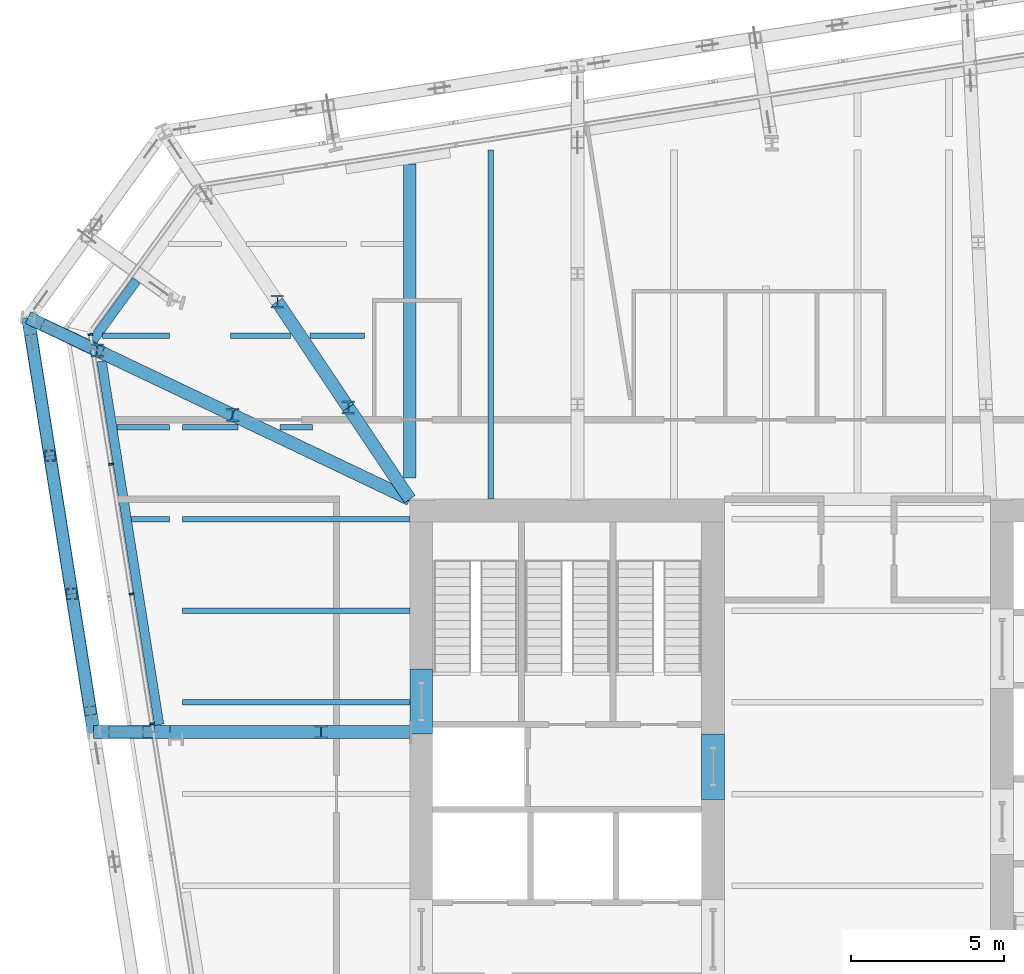
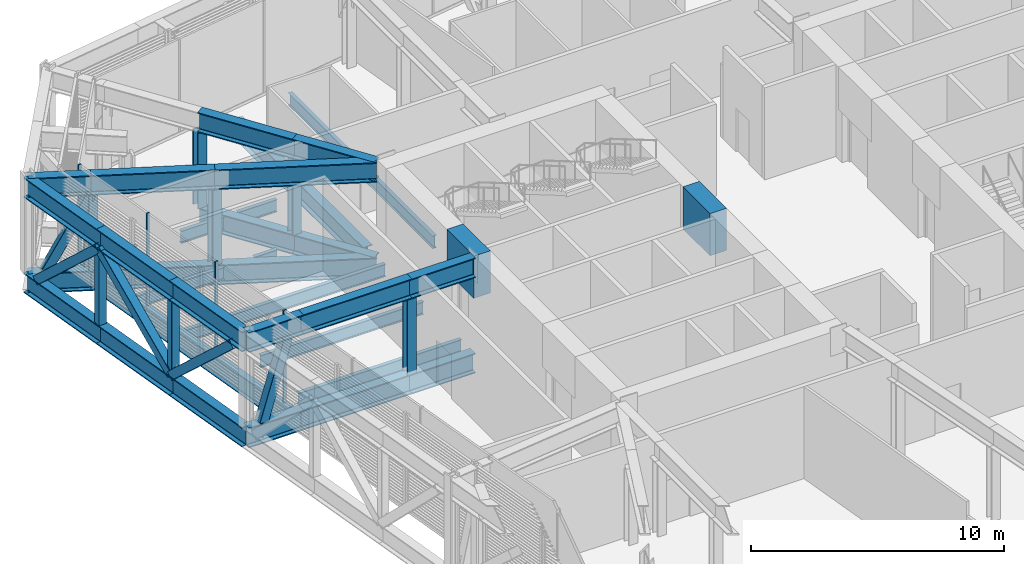
# One storey, part 10 of 32: 38 beams, 16 members, 1 element without a shape of its own.
"""IFC4 building model written with IfcOpenShell, lengths in metres."""

from ifc_helpers import new_model, si_unit, direction, frame, origin, origin_2d, place, context, subcontext, project, spatial, rectangle, hollow_rectangle, i_section, extrude, material, layer, layer_set, material_profile, profile_set, type_object, element, aggregate, save


model = new_model("IFC4")

# Units and contexts
model_context = context("Model", 3, precision=1e-05, world=origin(), true_north=direction((0.0, 1.0)))
body_context = subcontext(model_context, "Body", "Model", "MODEL_VIEW")
ifc_project = project(units=[si_unit("LENGTHUNIT", "METRE"), si_unit("AREAUNIT", "SQUARE_METRE"), si_unit("VOLUMEUNIT", "CUBIC_METRE"), si_unit("PLANEANGLEUNIT", "RADIAN"), si_unit("MASSUNIT", "GRAM", prefix="KILO")], contexts=[model_context])

# Site, building, storey
site_placement = place(None, origin())
site = spatial("IfcSite", under=ifc_project, at=site_placement, CompositionType="ELEMENT")
building_placement = place(site_placement, origin())
building = spatial("IfcBuilding", under=site, at=building_placement, Name="Millrace Tower", CompositionType="ELEMENT")
storey_placement = place(building_placement, frame((0.0, 0.0, 124.89990234375)))
storey = spatial("IfcBuildingStorey", under=building, at=storey_placement, Name="L27", CompositionType="ELEMENT", Elevation=124.89990234375)

# Curtain wall, members
ifc_material_1 = material(Name="Aluminium and glass", Category="aluminium")
ifc_layer = layer(ifc_material_1, 0.14990234375)
ifc_layer_set = layer_set([ifc_layer], Name="Aluminium and glass")
curtain_wall_type = type_object("IfcCurtainWallType", Name="CW-5 truss and plant storey louvred infill", PredefinedType="NOTDEFINED", material=ifc_layer_set)
curtain_wall_placement = place(storey_placement, origin())
curtain_wall = element("IfcCurtainWall", 1, at=curtain_wall_placement, inside=storey, type_object=curtain_wall_type, Name="Curtain wall C-F08 L27", PredefinedType="NOTDEFINED")
ifc_material_2 = material(Name="Aluminium", Category="aluminium")
ifc_material_profile_1 = material_profile(ifc_material_2, rectangle(XDim=0.06494140625, YDim=0.14990234375, at=origin_2d()))
ifc_profile_set_1 = profile_set([ifc_material_profile_1], Name="Aluminium")
member_type_1 = type_object("IfcMemberType", Name="CW-5 truss and plant storey louvred infill mullion", PredefinedType="MULLION", material=ifc_profile_set_1)
member_1_placement = place(storey_placement, frame((-25.106689453125, 15.041748046875, 0.14013671875), z_axis=(0.0, 0.0, 1.0), x_axis=(0.15643447328, -0.98768833929, 0.0)))
member_1 = element("IfcMember", 2, at=member_1_placement, type_object=member_type_1, Name="CW5 mullion C-F08.1", PredefinedType="MULLION", context=body_context, shape_type="SweptSolid", body=[
    extrude(rectangle(XDim=0.06494140625, YDim=0.14990234375, at=origin_2d()), origin(), (0.0, 0.0, 1.0), 4.4599609375),
])
member_2_placement = place(storey_placement, frame((-24.43408203125, 10.794677734375, 0.14013671875), z_axis=(0.0, 0.0, 1.0), x_axis=(0.15643447328, -0.98768833929, 0.0)))
member_2 = element("IfcMember", 3, at=member_2_placement, type_object=member_type_1, Name="CW5 mullion C-F08.2", PredefinedType="MULLION", context=body_context, shape_type="SweptSolid", body=[
    extrude(rectangle(XDim=0.06494140625, YDim=0.14990234375, at=origin_2d()), origin(), (0.0, 0.0, 1.0), 4.4599609375),
])
member_3_placement = place(storey_placement, frame((-23.76123046875, 6.547607421875, 0.14013671875), z_axis=(0.0, 0.0, 1.0), x_axis=(0.15643447328, -0.98768833929, 0.0)))
member_3 = element("IfcMember", 4, at=member_3_placement, type_object=member_type_1, Name="CW5 mullion C-F08.3", PredefinedType="MULLION", context=body_context, shape_type="SweptSolid", body=[
    extrude(rectangle(XDim=0.06494140625, YDim=0.14990234375, at=origin_2d()), origin(), (0.0, 0.0, 1.0), 4.4599609375),
])
member_4_placement = place(storey_placement, frame((-23.088623046875, 2.300537109375, 0.14013671875), z_axis=(0.0, 0.0, 1.0), x_axis=(0.15643447328, -0.98768833929, 0.0)))
member_4 = element("IfcMember", 5, at=member_4_placement, type_object=member_type_1, Name="CW5 mullion C-F08.4", PredefinedType="MULLION", context=body_context, shape_type="SweptSolid", body=[
    extrude(rectangle(XDim=0.06494140625, YDim=0.14990234375, at=origin_2d()), origin(), (0.0, 0.0, 1.0), 4.4599609375),
])
aggregate(curtain_wall, [member_1, member_2, member_3, member_4])

# Beams
ifc_material_3 = material(Name="Concrete C70", Category="concrete")
ifc_material_profile_2 = material_profile(ifc_material_3, rectangle(XDim=0.75, YDim=2.0400390625, at=origin_2d()))
ifc_profile_set_2 = profile_set([ifc_material_profile_2], Name="Concrete C70")
beam_type_1 = type_object("IfcBeamType", Name="Coupling beam 750 x 2040 Concrete C70, 1300 opening", PredefinedType="BEAM", material=ifc_profile_set_2)
beam_1_placement = place(storey_placement, frame((-14.27490234375, 1.958984375, 3.420166015625), z_axis=(0.0, 1.0, 0.0), x_axis=(-1.0, 0.0, 0.0)))
element("IfcBeam", 6, at=beam_1_placement, inside=storey, type_object=beam_type_1, Name="Coupling beam W L27", PredefinedType="BEAM", context=body_context, shape_type="SweptSolid", body=[
    extrude(rectangle(XDim=0.75, YDim=2.0400390625, at=origin_2d()), origin(), (0.0, 0.0, 1.0), 2.14208984375),
])
beam_2_placement = place(storey_placement, frame((-4.72509765625, -0.1708984375, 3.420166015625), z_axis=(0.0, 1.0, 0.0), x_axis=(-1.0, 0.0, 0.0)))
element("IfcBeam", 7, at=beam_2_placement, inside=storey, type_object=beam_type_1, Name="Coupling beam W L27", PredefinedType="BEAM", context=body_context, shape_type="SweptSolid", body=[
    extrude(rectangle(XDim=0.75, YDim=2.0400390625, at=origin_2d()), origin(), (0.0, 0.0, 1.0), 2.141845703125),
])
ifc_material_4 = material(Name="Steel ASTM A992 Grade 50", Category="steel")
ifc_material_profile_3 = material_profile(ifc_material_4, i_section(OverallWidth=0.177978515625, OverallDepth=0.599365234375, WebThickness=0.010009765625, FlangeThickness=0.012939453125, FilletRadius=0.012939453125, at=origin_2d()))
ifc_profile_set_3 = profile_set([ifc_material_profile_3], Name="Steel ASTM A992 Grade 50")
beam_type_2 = type_object("IfcBeamType", Name="Floor beam W24x55", PredefinedType="JOIST", material=ifc_profile_set_3)
beam_3_placement = place(storey_placement, frame((-23.7626953125, 9.0, -0.459716796875), z_axis=(1.0, 0.0, 0.0), x_axis=(0.0, 1.0, 0.0)))
element("IfcBeam", 8, at=beam_3_placement, inside=storey, type_object=beam_type_2, Name="BM-C-L27-S1-S029-a", PredefinedType="JOIST", context=body_context, shape_type="SweptSolid", body=[
    extrude(i_section(OverallWidth=0.177978515625, OverallDepth=0.599365234375, WebThickness=0.010009765625, FlangeThickness=0.012939453125, FilletRadius=0.012939453125, at=origin_2d()), origin(), (0.0, 0.0, 1.0), 1.245849609375),
])
for number, where, z_axis, x_axis, name in (
    (9, (-22.0830078125, 9.0, -0.459716796875), (1.0, 0.0, 0.0), (0.0, 1.0, 0.0), "BM-C-L27-S1-S029-b"),
    (10, (-22.0830078125, 3.0, -0.459716796875), (1.0, 0.0, 0.0), (0.0, 1.0, 0.0), "BM-C-L27-S1-S023"),
    (11, (-22.0830078125, 6.0, -0.459716796875), (1.0, 0.0, 0.0), (0.0, 1.0, 0.0), "BM-C-L27-S1-S026"),
):
    element("IfcBeam", number, at=place(storey_placement, frame(where, z_axis=z_axis, x_axis=x_axis)), inside=storey, type_object=beam_type_2, Name=name, PredefinedType="JOIST", context=body_context, shape_type="SweptSolid", body=[
        extrude(i_section(OverallWidth=0.177978515625, OverallDepth=0.599365234375, WebThickness=0.010009765625, FlangeThickness=0.012939453125, FilletRadius=0.012939453125, at=origin_2d()), origin(), (0.0, 0.0, 1.0), 7.43310546875),
    ])
beam_4_placement = place(storey_placement, frame((-24.712890625, 15.0, -0.459716796875), z_axis=(1.0, 0.0, 0.0), x_axis=(0.0, 1.0, 0.0)))
element("IfcBeam", 12, at=beam_4_placement, inside=storey, type_object=beam_type_2, Name="BM-C-L27-S1-S033-a", PredefinedType="JOIST", context=body_context, shape_type="SweptSolid", body=[
    extrude(i_section(OverallWidth=0.177978515625, OverallDepth=0.599365234375, WebThickness=0.010009765625, FlangeThickness=0.012939453125, FilletRadius=0.012939453125, at=origin_2d()), origin(), (0.0, 0.0, 1.0), 2.196044921875),
])
beam_5_placement = place(storey_placement, frame((-24.23779296875, 12.0, -0.459716796875), z_axis=(1.0, 0.0, 0.0), x_axis=(0.0, 1.0, 0.0)))
element("IfcBeam", 13, at=beam_5_placement, inside=storey, type_object=beam_type_2, Name="BM-C-L27-S1-S031-a-a", PredefinedType="JOIST", context=body_context, shape_type="SweptSolid", body=[
    extrude(i_section(OverallWidth=0.177978515625, OverallDepth=0.599365234375, WebThickness=0.010009765625, FlangeThickness=0.012939453125, FilletRadius=0.012939453125, at=origin_2d()), origin(), (0.0, 0.0, 1.0), 1.720947265625),
])
beam_6_placement = place(storey_placement, frame((-20.513671875, 15.0, -0.459716796875), z_axis=(1.0, 0.0, 0.0), x_axis=(0.0, 1.0, 0.0)))
element("IfcBeam", 14, at=beam_6_placement, inside=storey, type_object=beam_type_2, Name="BM-C-L27-S1-S033-b-a", PredefinedType="JOIST", context=body_context, shape_type="SweptSolid", body=[
    extrude(i_section(OverallWidth=0.177978515625, OverallDepth=0.599365234375, WebThickness=0.010009765625, FlangeThickness=0.012939453125, FilletRadius=0.012939453125, at=origin_2d()), origin(), (0.0, 0.0, 1.0), 1.9580078125),
])
beam_7_placement = place(storey_placement, frame((-17.921630859375, 15.0, -0.459716796875), z_axis=(1.0, 0.0, 0.0), x_axis=(0.0, 1.0, 0.0)))
element("IfcBeam", 15, at=beam_7_placement, inside=storey, type_object=beam_type_2, Name="BM-C-L27-S1-S033-b-b", PredefinedType="JOIST", context=body_context, shape_type="SweptSolid", body=[
    extrude(i_section(OverallWidth=0.177978515625, OverallDepth=0.599365234375, WebThickness=0.010009765625, FlangeThickness=0.012939453125, FilletRadius=0.012939453125, at=origin_2d()), origin(), (0.0, 0.0, 1.0), 1.785888671875),
])
beam_8_placement = place(storey_placement, frame((-22.0830078125, 12.0, -0.459716796875), z_axis=(1.0, 0.0, 0.0), x_axis=(0.0, 1.0, 0.0)))
element("IfcBeam", 16, at=beam_8_placement, inside=storey, type_object=beam_type_2, Name="BM-C-L27-S1-S031-a-b-a", PredefinedType="JOIST", context=body_context, shape_type="SweptSolid", body=[
    extrude(i_section(OverallWidth=0.177978515625, OverallDepth=0.599365234375, WebThickness=0.010009765625, FlangeThickness=0.012939453125, FilletRadius=0.012939453125, at=origin_2d()), origin(), (0.0, 0.0, 1.0), 1.80517578125),
])
beam_9_placement = place(storey_placement, frame((-18.905517578125, 12.0, -0.459716796875), z_axis=(1.0, 0.0, 0.0), x_axis=(0.0, 1.0, 0.0)))
element("IfcBeam", 17, at=beam_9_placement, inside=storey, type_object=beam_type_2, Name="BM-C-L27-S1-S031-a-b-b", PredefinedType="JOIST", context=body_context, shape_type="SweptSolid", body=[
    extrude(i_section(OverallWidth=0.177978515625, OverallDepth=0.599365234375, WebThickness=0.010009765625, FlangeThickness=0.012939453125, FilletRadius=0.012939453125, at=origin_2d()), origin(), (0.0, 0.0, 1.0), 1.06494140625),
])
ifc_material_5 = material(Name="Steel ASTM A992 Grade 50", Category="steel")
ifc_material_profile_4 = material_profile(ifc_material_5, i_section(OverallWidth=0.1787109375, OverallDepth=0.60205078125, WebThickness=0.010986328125, FlangeThickness=0.014892578125, FilletRadius=0.0126953125, at=origin_2d()))
ifc_profile_set_4 = profile_set([ifc_material_profile_4], Name="Steel ASTM A992 Grade 50")
beam_type_3 = type_object("IfcBeamType", Name="Floor beam W24x62", PredefinedType="JOIST", material=ifc_profile_set_4)
beam_10_placement = place(storey_placement, frame((-12.0, 9.64990234375, -0.4609375), z_axis=(0.0, 1.0, 0.0), x_axis=(-1.0, 0.0, 0.0)))
element("IfcBeam", 18, at=beam_10_placement, inside=storey, type_object=beam_type_3, Name="BM-C-L27-S1-S039", PredefinedType="JOIST", context=body_context, shape_type="SweptSolid", body=[
    extrude(i_section(OverallWidth=0.1787109375, OverallDepth=0.60205078125, WebThickness=0.010986328125, FlangeThickness=0.014892578125, FilletRadius=0.0126953125, at=origin_2d()), origin(), (0.0, 0.0, 1.0), 11.43115234375),
])
ifc_material_6 = material(Name="Steel ASTM A992 Grade 50", Category="steel")
ifc_material_profile_5 = material_profile(ifc_material_6, i_section(OverallWidth=0.419189453125, OverallDepth=0.927001953125, WebThickness=0.019287109375, FlangeThickness=0.031982421875, FilletRadius=0.024169921875, at=origin_2d()))
ifc_profile_set_5 = profile_set([ifc_material_profile_5], Name="Steel ASTM A992 Grade 50")
beam_type_4 = type_object("IfcBeamType", Name="Girder short span W36x231", PredefinedType="BEAM", material=ifc_profile_set_5)
beam_11_placement = place(storey_placement, frame((-14.64990234375, 10.3466796875, -0.62353515625), z_axis=(0.0, 1.0, 0.0), x_axis=(-1.0, 0.0, 0.0)))
element("IfcBeam", 19, at=beam_11_placement, inside=storey, type_object=beam_type_4, Name="BM-C-L27-S1-G057", PredefinedType="BEAM", context=body_context, shape_type="SweptSolid", body=[
    extrude(i_section(OverallWidth=0.419189453125, OverallDepth=0.927001953125, WebThickness=0.019287109375, FlangeThickness=0.031982421875, FilletRadius=0.024169921875, at=origin_2d()), origin(), (0.0, 0.0, 1.0), 10.2666015625),
])
ifc_material_7 = material(Name="Steel ASTM A992 Grade 50", Category="steel")
ifc_material_profile_6 = material_profile(ifc_material_7, i_section(OverallWidth=0.307373046875, OverallDepth=0.927001953125, WebThickness=0.01953125, FlangeThickness=0.031982421875, FilletRadius=0.01904296875, at=origin_2d()))
ifc_profile_set_6 = profile_set([ifc_material_profile_6], Name="Steel ASTM A992 Grade 50")
beam_type_5 = type_object("IfcBeamType", Name="Ring beam medium span W36x194", PredefinedType="SPANDREL", material=ifc_profile_set_6)
beam_12_placement = place(storey_placement, frame((-22.852294921875, 2.26953125, -0.62353515625), z_axis=(-0.156422627942, 0.987690215335, 0.0), x_axis=(-0.987690215335, -0.156422627942, 0.0)))
element("IfcBeam", 20, at=beam_12_placement, inside=storey, type_object=beam_type_5, Name="RNG-C-L27-S1-03", PredefinedType="SPANDREL", context=body_context, shape_type="SweptSolid", body=[
    extrude(i_section(OverallWidth=0.307373046875, OverallDepth=0.927001953125, WebThickness=0.01953125, FlangeThickness=0.031982421875, FilletRadius=0.01904296875, at=origin_2d()), origin(), (0.0, 0.0, 1.0), 12.04443359375),
])
ifc_material_8 = material(Name="Steel ASTM A992 Grade 50", Category="steel")
ifc_material_profile_7 = material_profile(ifc_material_8, i_section(OverallWidth=0.307373046875, OverallDepth=0.927001953125, WebThickness=0.01953125, FlangeThickness=0.031982421875, FilletRadius=0.01904296875, at=origin_2d()))
ifc_profile_set_7 = profile_set([ifc_material_profile_7], Name="Steel ASTM A992 Grade 50")
beam_type_6 = type_object("IfcBeamType", Name="Ring beam short span W36x194", PredefinedType="SPANDREL", material=ifc_profile_set_7)
beam_13_placement = place(storey_placement, frame((-25.019287109375, 14.849365234375, -0.62353515625), z_axis=(0.587811814757, 0.808997694949, 0.0), x_axis=(-0.808997694949, 0.587811814757, 0.0)))
element("IfcBeam", 21, at=beam_13_placement, inside=storey, type_object=beam_type_6, Name="RNG-C-L27-S1-04-a", PredefinedType="SPANDREL", context=body_context, shape_type="SweptSolid", body=[
    extrude(i_section(OverallWidth=0.307373046875, OverallDepth=0.927001953125, WebThickness=0.01953125, FlangeThickness=0.031982421875, FilletRadius=0.01904296875, at=origin_2d()), origin(), (0.0, 0.0, 1.0), 2.420654296875),
])

# Members
ifc_material_9 = material(Name="Steel ASTM A992 Grade 50", Category="steel")
ifc_material_profile_8 = material_profile(ifc_material_9, i_section(OverallWidth=0.406494140625, OverallDepth=0.41650390625, WebThickness=0.030029296875, FlangeThickness=0.048095703125, FilletRadius=0.01513671875, at=origin_2d()))
ifc_profile_set_8 = profile_set([ifc_material_profile_8], Name="Steel ASTM A992 Grade 50")
member_type_2 = type_object("IfcMemberType", Name="Transfer truss Vierendeel moment post W14x257", PredefinedType="POST", material=ifc_profile_set_8)
for number, where, z_axis, x_axis, name in (
    (22, (-18.98681640625, 16.115234375, -0.159912109375), (0.0, 0.0, 1.0), (1.0, 0.0, 0.0), "TRS-L27-C13-V02"),
    (23, (-16.6611328125, 12.648193359375, -0.159912109375), (0.0, 0.0, 1.0), (1.0, 0.0, 0.0), "TRS-L27-C13-V03"),
    (24, (-24.885009765625, 14.517333984375, -0.159912109375), (0.0, 0.0, 1.0), (1.0, 0.0, 0.0), "TRS-L27-C14-V01"),
    (25, (-20.44775390625, 12.4072265625, -0.159912109375), (0.0, 0.0, 1.0), (1.0, 0.0, 0.0), "TRS-L27-C14-V02"),
    (26, (-17.550048828125, 2.031494140625, -0.159912109375), (0.0, 0.0, 1.0), (1.0, 0.0, 0.0), "TRS-L27-C15-V02"),
):
    element("IfcMember", number, at=place(storey_placement, frame(where, z_axis=z_axis, x_axis=x_axis)), inside=storey, type_object=member_type_2, Name=name, PredefinedType="POST", context=body_context, shape_type="SweptSolid", body=[
        extrude(i_section(OverallWidth=0.406494140625, OverallDepth=0.41650390625, WebThickness=0.030029296875, FlangeThickness=0.048095703125, FilletRadius=0.01513671875, at=origin_2d()), origin(), (0.0, 0.0, 1.0), 3.642333984375),
    ])

# Beams
ifc_material_10 = material(Name="Steel ASTM A992 Grade 50", Category="steel")
ifc_material_profile_9 = material_profile(ifc_material_10, i_section(OverallWidth=0.421630859375, OverallDepth=0.95751953125, WebThickness=0.02587890625, FlangeThickness=0.046875, FilletRadius=0.024169921875, at=origin_2d()))
ifc_profile_set_9 = profile_set([ifc_material_profile_9], Name="Steel ASTM A992 Grade 50")
beam_type_7 = type_object("IfcBeamType", Name="Transfer truss chord W36x330", PredefinedType="BEAM", material=ifc_profile_set_9)
for number, where, z_axis, x_axis, name in (
    (27, (-27.142578125, 15.5908203125, -0.638671875), (0.156425557764, -0.987689751328, 0.0), (0.987689751328, 0.156425557764, 0.0), "TRS-L27-R14-B01"),
    (28, (-27.142578125, 15.5908203125, 3.96142578125), (0.156425557764, -0.987689751328, 0.0), (0.987689751328, 0.156425557764, 0.0), "TRS-L27-R14-T01"),
    (29, (-26.4267578125, 11.071044921875, -0.638671875), (0.156425557764, -0.987689751328, 0.0), (0.987689751328, 0.156425557764, 0.0), "TRS-L27-R14-B02"),
    (30, (-26.4267578125, 11.071044921875, 3.96142578125), (0.156425557764, -0.987689751328, 0.0), (0.987689751328, 0.156425557764, 0.0), "TRS-L27-R14-T02"),
    (31, (-25.7109375, 6.55126953125, -0.638671875), (0.156425557764, -0.987689751328, 0.0), (0.987689751328, 0.156425557764, 0.0), "TRS-L27-R14-B03"),
    (32, (-25.7109375, 6.55126953125, 3.96142578125), (0.156425557764, -0.987689751328, 0.0), (0.987689751328, 0.156425557764, 0.0), "TRS-L27-R14-T03"),
):
    element("IfcBeam", number, at=place(storey_placement, frame(where, z_axis=z_axis, x_axis=x_axis)), inside=storey, type_object=beam_type_7, Name=name, PredefinedType="BEAM", context=body_context, shape_type="SweptSolid", body=[
        extrude(i_section(OverallWidth=0.421630859375, OverallDepth=0.95751953125, WebThickness=0.02587890625, FlangeThickness=0.046875, FilletRadius=0.024169921875, at=origin_2d()), origin(), (0.0, 0.0, 1.0), 4.576171875),
    ])
for number, where, z_axis, x_axis, name in (
    (33, (-18.98681640625, 16.115234375, -0.638671875), (0.557073092388, -0.830463466828, 0.0), (0.830463466828, 0.557073092388, 0.0), "TRS-L27-C13-B03"),
    (34, (-18.98681640625, 16.115234375, 3.96142578125), (0.557073092388, -0.830463466828, 0.0), (0.830463466828, 0.557073092388, 0.0), "TRS-L27-C13-T03"),
):
    element("IfcBeam", number, at=place(storey_placement, frame(where, z_axis=z_axis, x_axis=x_axis)), inside=storey, type_object=beam_type_7, Name=name, PredefinedType="BEAM", context=body_context, shape_type="SweptSolid", body=[
        extrude(i_section(OverallWidth=0.421630859375, OverallDepth=0.95751953125, WebThickness=0.02587890625, FlangeThickness=0.046875, FilletRadius=0.024169921875, at=origin_2d()), origin(), (0.0, 0.0, 1.0), 4.1748046875),
    ])
for number, where, z_axis, x_axis, name in (
    (35, (-16.6611328125, 12.648193359375, -0.638671875), (0.557069913422, -0.830465599264, 0.0), (0.830465599264, 0.557069913422, 0.0), "TRS-L27-C13-B04"),
    (36, (-16.6611328125, 12.648193359375, 3.96142578125), (0.557069913422, -0.830465599264, 0.0), (0.830465599264, 0.557069913422, 0.0), "TRS-L27-C13-T04"),
):
    element("IfcBeam", number, at=place(storey_placement, frame(where, z_axis=z_axis, x_axis=x_axis)), inside=storey, type_object=beam_type_7, Name=name, PredefinedType="BEAM", context=body_context, shape_type="SweptSolid", body=[
        extrude(i_section(OverallWidth=0.421630859375, OverallDepth=0.95751953125, WebThickness=0.02587890625, FlangeThickness=0.046875, FilletRadius=0.024169921875, at=origin_2d()), origin(), (0.0, 0.0, 1.0), 3.6103515625),
    ])
for number, where, z_axis, x_axis, name in (
    (37, (-27.142578125, 15.5908203125, -0.638671875), (0.903100476614, -0.429429306334, 0.0), (0.429429306334, 0.903100476614, 0.0), "TRS-L27-C14-B01"),
    (38, (-27.142578125, 15.5908203125, 3.96142578125), (0.903100476614, -0.429429306334, 0.0), (0.429429306334, 0.903100476614, 0.0), "TRS-L27-C14-T01"),
):
    element("IfcBeam", number, at=place(storey_placement, frame(where, z_axis=z_axis, x_axis=x_axis)), inside=storey, type_object=beam_type_7, Name=name, PredefinedType="BEAM", context=body_context, shape_type="SweptSolid", body=[
        extrude(i_section(OverallWidth=0.421630859375, OverallDepth=0.95751953125, WebThickness=0.02587890625, FlangeThickness=0.046875, FilletRadius=0.024169921875, at=origin_2d()), origin(), (0.0, 0.0, 1.0), 2.499755859375),
    ])
for number, where, z_axis, x_axis, name in (
    (39, (-24.885009765625, 14.517333984375, -0.638671875), (0.903087251595, -0.429457117774, 0.0), (0.429457117774, 0.903087251595, 0.0), "TRS-L27-C14-B02"),
    (40, (-24.885009765625, 14.517333984375, 3.96142578125), (0.903087251595, -0.429457117774, 0.0), (0.429457117774, 0.903087251595, 0.0), "TRS-L27-C14-T02"),
):
    element("IfcBeam", number, at=place(storey_placement, frame(where, z_axis=z_axis, x_axis=x_axis)), inside=storey, type_object=beam_type_7, Name=name, PredefinedType="BEAM", context=body_context, shape_type="SweptSolid", body=[
        extrude(i_section(OverallWidth=0.421630859375, OverallDepth=0.95751953125, WebThickness=0.02587890625, FlangeThickness=0.046875, FilletRadius=0.024169921875, at=origin_2d()), origin(), (0.0, 0.0, 1.0), 4.913330078125),
    ])
for number, where, z_axis, x_axis, name in (
    (41, (-20.44775390625, 12.4072265625, -0.638671875), (0.903075496312, -0.42948183659, 0.0), (0.42948183659, 0.903075496312, 0.0), "TRS-L27-C14-B03"),
    (42, (-20.44775390625, 12.4072265625, 3.96142578125), (0.903075496312, -0.42948183659, 0.0), (0.42948183659, 0.903075496312, 0.0), "TRS-L27-C14-T03"),
):
    element("IfcBeam", number, at=place(storey_placement, frame(where, z_axis=z_axis, x_axis=x_axis)), inside=storey, type_object=beam_type_7, Name=name, PredefinedType="BEAM", context=body_context, shape_type="SweptSolid", body=[
        extrude(i_section(OverallWidth=0.421630859375, OverallDepth=0.95751953125, WebThickness=0.02587890625, FlangeThickness=0.046875, FilletRadius=0.024169921875, at=origin_2d()), origin(), (0.0, 0.0, 1.0), 6.420166015625),
    ])
for number, where, z_axis, x_axis, name in (
    (43, (-24.9951171875, 2.031494140625, -0.638671875), (1.0, 0.0, 0.0), (0.0, 1.0, 0.0), "TRS-L27-C15-B01"),
    (44, (-24.9951171875, 2.031494140625, 3.96142578125), (1.0, 0.0, 0.0), (0.0, 1.0, 0.0), "TRS-L27-C15-T01"),
):
    element("IfcBeam", number, at=place(storey_placement, frame(where, z_axis=z_axis, x_axis=x_axis)), inside=storey, type_object=beam_type_7, Name=name, PredefinedType="BEAM", context=body_context, shape_type="SweptSolid", body=[
        extrude(i_section(OverallWidth=0.421630859375, OverallDepth=0.95751953125, WebThickness=0.02587890625, FlangeThickness=0.046875, FilletRadius=0.024169921875, at=origin_2d()), origin(), (0.0, 0.0, 1.0), 2.5),
    ])
for number, where, z_axis, x_axis, name in (
    (45, (-22.4951171875, 2.031494140625, -0.638671875), (1.0, 0.0, 0.0), (0.0, 1.0, 0.0), "TRS-L27-C15-B02"),
    (46, (-22.4951171875, 2.031494140625, 3.96142578125), (1.0, 0.0, 0.0), (0.0, 1.0, 0.0), "TRS-L27-C15-T02"),
):
    element("IfcBeam", number, at=place(storey_placement, frame(where, z_axis=z_axis, x_axis=x_axis)), inside=storey, type_object=beam_type_7, Name=name, PredefinedType="BEAM", context=body_context, shape_type="SweptSolid", body=[
        extrude(i_section(OverallWidth=0.421630859375, OverallDepth=0.95751953125, WebThickness=0.02587890625, FlangeThickness=0.046875, FilletRadius=0.024169921875, at=origin_2d()), origin(), (0.0, 0.0, 1.0), 4.945068359375),
    ])
for number, where, z_axis, x_axis, name in (
    (47, (-17.550048828125, 2.031494140625, -0.638671875), (1.0, 0.0, 0.0), (0.0, 1.0, 0.0), "TRS-L27-C15-B03"),
    (48, (-17.550048828125, 2.031494140625, 3.96142578125), (1.0, 0.0, 0.0), (0.0, 1.0, 0.0), "TRS-L27-C15-T03"),
):
    element("IfcBeam", number, at=place(storey_placement, frame(where, z_axis=z_axis, x_axis=x_axis)), inside=storey, type_object=beam_type_7, Name=name, PredefinedType="BEAM", context=body_context, shape_type="SweptSolid", body=[
        extrude(i_section(OverallWidth=0.421630859375, OverallDepth=0.95751953125, WebThickness=0.02587890625, FlangeThickness=0.046875, FilletRadius=0.024169921875, at=origin_2d()), origin(), (0.0, 0.0, 1.0), 2.900146484375),
    ])

# Members
ifc_material_11 = material(Name="Steel ASTM A500 Grade C", Category="steel")
ifc_material_profile_10 = material_profile(ifc_material_11, hollow_rectangle(XDim=0.406494140625, YDim=0.406494140625, WallThickness=0.0126953125, InnerFilletRadius=0.00634765625, OuterFilletRadius=0.01904296875, at=origin_2d()))
ifc_profile_set_10 = profile_set([ifc_material_profile_10], Name="Steel ASTM A500 Grade C")
member_type_3 = type_object("IfcMemberType", Name="Transfer truss diagonal HSS16x16x1/2", PredefinedType="BRACE", material=ifc_profile_set_10)
member_5_placement = place(storey_placement, frame((-27.033203125, 14.8994140625, -0.159912109375), z_axis=(0.114016881777, -0.719765991606, 0.684789798404), x_axis=(0.987684704581, 0.156457420202, 0.0)))
element("IfcMember", 49, at=member_5_placement, inside=storey, type_object=member_type_3, Name="TRS-L27-R14-D01", PredefinedType="BRACE", context=body_context, shape_type="SweptSolid", body=[
    extrude(hollow_rectangle(XDim=0.406494140625, YDim=0.406494140625, WallThickness=0.0126953125, InnerFilletRadius=0.00634765625, OuterFilletRadius=0.01904296875, at=origin_2d()), origin(), (0.0, 0.0, 1.0), 5.31884765625),
])
member_6_placement = place(storey_placement, frame((-25.7109375, 6.55126953125, -0.159912109375), z_axis=(-0.122389512855, 0.772782077588, 0.622758916196), x_axis=(-0.987689751328, -0.156425557764, 0.0)))
element("IfcMember", 50, at=member_6_placement, inside=storey, type_object=member_type_3, Name="TRS-L27-R14-D02", PredefinedType="BRACE", context=body_context, shape_type="SweptSolid", body=[
    extrude(hollow_rectangle(XDim=0.406494140625, YDim=0.406494140625, WallThickness=0.0126953125, InnerFilletRadius=0.00634765625, OuterFilletRadius=0.01904296875, at=origin_2d()), origin(), (0.0, 0.0, 1.0), 5.8486328125),
])
member_7_placement = place(storey_placement, frame((-25.7109375, 6.55126953125, -0.159912109375), z_axis=(0.114016881777, -0.719765991606, 0.684789798404), x_axis=(0.987684704581, 0.156457420202, 0.0)))
element("IfcMember", 51, at=member_7_placement, inside=storey, type_object=member_type_3, Name="TRS-L27-R14-D03", PredefinedType="BRACE", context=body_context, shape_type="SweptSolid", body=[
    extrude(hollow_rectangle(XDim=0.406494140625, YDim=0.406494140625, WallThickness=0.0126953125, InnerFilletRadius=0.00634765625, OuterFilletRadius=0.01904296875, at=origin_2d()), origin(), (0.0, 0.0, 1.0), 5.31884765625),
])
member_8_placement = place(storey_placement, frame((-26.510498046875, 15.290283203125, -0.159912109375), z_axis=(0.400091669286, -0.190250859862, 0.896510605899), x_axis=(0.429438590056, 0.903096062095, 0.0)))
element("IfcMember", 52, at=member_8_placement, inside=storey, type_object=member_type_3, Name="TRS-L27-C14-D01", PredefinedType="BRACE", context=body_context, shape_type="SweptSolid", body=[
    extrude(hollow_rectangle(XDim=0.406494140625, YDim=0.406494140625, WallThickness=0.0126953125, InnerFilletRadius=0.00634765625, OuterFilletRadius=0.01904296875, at=origin_2d()), origin(), (0.0, 0.0, 1.0), 4.062744140625),
])
member_9_placement = place(storey_placement, frame((-24.295166015625, 2.031494140625, -0.159912109375), z_axis=(0.289131078725, 0.0, 0.957289516978), x_axis=(0.0, 1.0, 0.0)))
element("IfcMember", 53, at=member_9_placement, inside=storey, type_object=member_type_3, Name="TRS-L27-C15-D01", PredefinedType="BRACE", context=body_context, shape_type="SweptSolid", body=[
    extrude(hollow_rectangle(XDim=0.406494140625, YDim=0.406494140625, WallThickness=0.0126953125, InnerFilletRadius=0.00634765625, OuterFilletRadius=0.01904296875, at=origin_2d()), origin(), (0.0, 0.0, 1.0), 3.804931640625),
])
ifc_material_12 = material(Name="Steel ASTM A500 Grade C", Category="steel")
ifc_material_profile_11 = material_profile(ifc_material_12, hollow_rectangle(XDim=0.355712890625, YDim=0.355712890625, WallThickness=0.015869140625, InnerFilletRadius=0.008056640625, OuterFilletRadius=0.02392578125, at=origin_2d()))
ifc_profile_set_11 = profile_set([ifc_material_profile_11], Name="Steel ASTM A500 Grade C")
member_type_4 = type_object("IfcMemberType", Name="Transfer truss post HSS14x14x5/8", PredefinedType="POST", material=ifc_profile_set_11)
for number, where, z_axis, x_axis, name in (
    (54, (-26.4267578125, 11.071044921875, -0.159912109375), (0.0, 0.0, 1.0), (1.0, 0.0, 0.0), "TRS-L27-R14-V01"),
    (55, (-25.7109375, 6.55126953125, -0.159912109375), (0.0, 0.0, 1.0), (1.0, 0.0, 0.0), "TRS-L27-R14-V02"),
):
    element("IfcMember", number, at=place(storey_placement, frame(where, z_axis=z_axis, x_axis=x_axis)), inside=storey, type_object=member_type_4, Name=name, PredefinedType="POST", context=body_context, shape_type="SweptSolid", body=[
        extrude(hollow_rectangle(XDim=0.355712890625, YDim=0.355712890625, WallThickness=0.015869140625, InnerFilletRadius=0.008056640625, OuterFilletRadius=0.02392578125, at=origin_2d()), origin(), (0.0, 0.0, 1.0), 3.642333984375),
    ])

save(model, "model.ifc")
